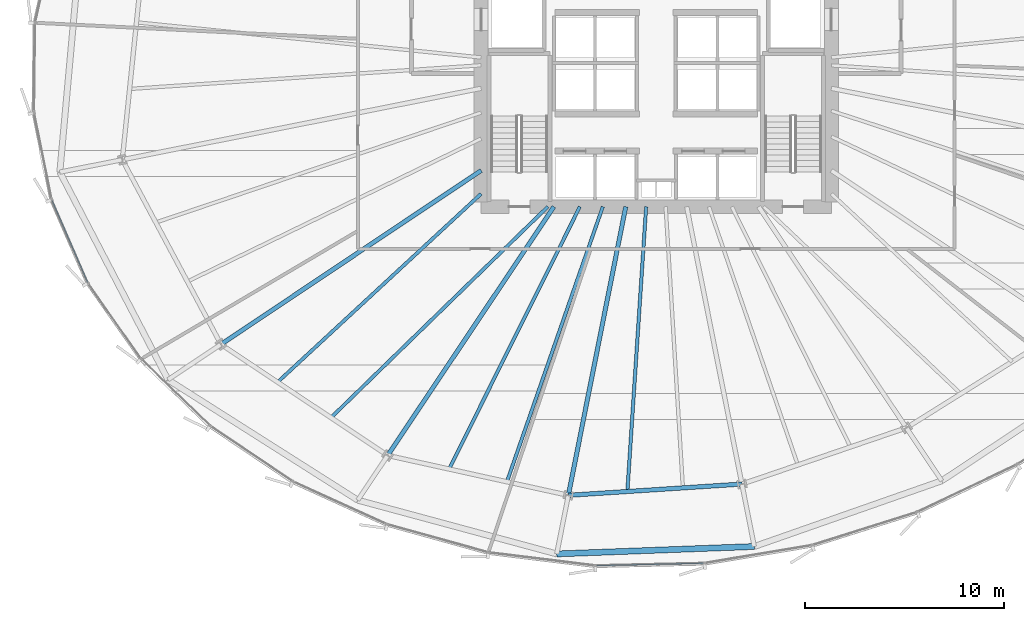
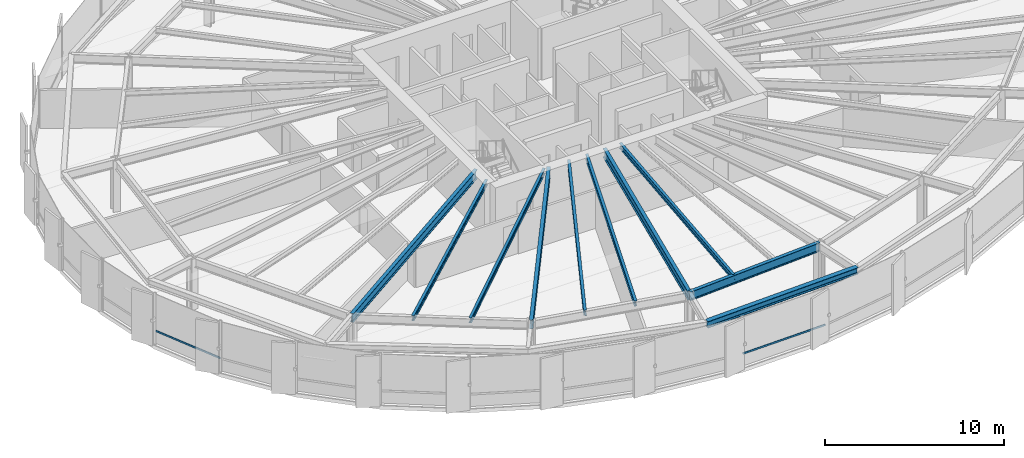
# One storey, part 6 of 38: 10 beams, 2 members, 2 elements without a shape of their own.
"""IFC4 building model written with IfcOpenShell, lengths in metres."""

from ifc_helpers import new_model, si_unit, direction, frame, origin, origin_2d, place, context, subcontext, project, spatial, hollow_rectangle, i_section, extrude, source, transform, mapped, material, layer, layer_set, material_profile, profile_set, type_object, element, aggregate, save


model = new_model("IFC4")

# Units and contexts
model_context = context("Model", 3, precision=1e-05, world=origin(), true_north=direction((0.0, 1.0)))
body_context = subcontext(model_context, "Body", "Model", "MODEL_VIEW")
ifc_project = project(units=[si_unit("LENGTHUNIT", "METRE"), si_unit("AREAUNIT", "SQUARE_METRE"), si_unit("VOLUMEUNIT", "CUBIC_METRE"), si_unit("PLANEANGLEUNIT", "RADIAN"), si_unit("MASSUNIT", "GRAM", prefix="KILO"), si_unit("THERMODYNAMICTEMPERATUREUNIT", "KELVIN")], contexts=[model_context])

# Site, building, storey
site_placement = place(None, origin())
site = spatial("IfcSite", under=ifc_project, at=site_placement, CompositionType="ELEMENT")
building_placement = place(site_placement, origin())
building = spatial("IfcBuilding", under=site, at=building_placement, Name="Kethvar Cultural Tower", CompositionType="ELEMENT")
storey_placement = place(building_placement, frame((0.0, 0.0, 52.39990234375)))
storey = spatial("IfcBuildingStorey", under=building, at=storey_placement, Name="L12", CompositionType="ELEMENT", Elevation=52.39990234375)

# Beams
ifc_material_1 = material(Name="Steel S355J2", Category="steel")
ifc_material_profile_1 = material_profile(ifc_material_1, i_section(OverallWidth=0.219970703125, OverallDepth=0.60009765625, WebThickness=0.011962890625, FlangeThickness=0.01904296875, FilletRadius=0.02392578125, at=origin_2d()), Name="Steel S355J2 — IPE600")
ifc_profile_set_1 = profile_set([ifc_material_profile_1], Name="Steel S355J2 — IPE600")
beam_type_1 = type_object("IfcBeamType", Name="BM-IPE600", PredefinedType="BEAM", material=ifc_profile_set_1)
shared_shape_1 = source(origin(), body_context, "Body", "SweptSolid", [
    extrude(i_section(OverallWidth=0.219970703125, OverallDepth=0.60009765625, WebThickness=0.011962890625, FlangeThickness=0.01904296875, FilletRadius=0.02392578125, at=origin_2d()), origin(), (0.0, 0.0, 1.0), 15.725341796875),
])
beam_1_placement = place(storey_placement, frame((38.0, 21.919921875, 3.248046875), z_axis=(-0.831469433959, -0.555570499929, 0.0), x_axis=(0.555570499929, -0.831469433959, 0.0)))
element("IfcBeam", 1, at=beam_1_placement, inside=storey, type_object=beam_type_1, Name="L12 Primary Radial Beam RB-10", PredefinedType="BEAM", context=body_context, shape_type="MappedRepresentation", body=[
    mapped(shared_shape_1, transform((0.0, 0.0, 0.0), scale=1.0)),
])
shared_shape_2 = source(origin(), body_context, "Body", "SweptSolid", [
    extrude(i_section(OverallWidth=0.219970703125, OverallDepth=0.60009765625, WebThickness=0.011962890625, FlangeThickness=0.01904296875, FilletRadius=0.02392578125, at=origin_2d()), origin(), (0.0, 0.0, 1.0), 15.03515625),
])
beam_2_placement = place(storey_placement, frame((41.655029296875, 20.10009765625, 3.248046875), z_axis=(-0.555569254616, -0.83147026605, 0.0), x_axis=(0.83147026605, -0.555569254616, 0.0)))
element("IfcBeam", 2, at=beam_2_placement, inside=storey, type_object=beam_type_1, Name="L12 Primary Radial Beam RB-11", PredefinedType="BEAM", context=body_context, shape_type="MappedRepresentation", body=[
    mapped(shared_shape_2, transform((0.0, 0.0, 0.0), scale=1.0)),
])
shared_shape_3 = source(origin(), body_context, "Body", "SweptSolid", [
    extrude(i_section(OverallWidth=0.219970703125, OverallDepth=0.60009765625, WebThickness=0.011962890625, FlangeThickness=0.01904296875, FilletRadius=0.02392578125, at=origin_2d()), origin(), (0.0, 0.0, 1.0), 14.7880859375),
])
beam_3_placement = place(storey_placement, frame((45.268310546875, 20.10009765625, 3.248046875), z_axis=(-0.1950905456, -0.98078523593, 0.0), x_axis=(0.98078523593, -0.1950905456, 0.0)))
element("IfcBeam", 3, at=beam_3_placement, inside=storey, type_object=beam_type_1, Name="L12 Primary Radial Beam RB-12", PredefinedType="BEAM", context=body_context, shape_type="MappedRepresentation", body=[
    mapped(shared_shape_3, transform((0.0, 0.0, 0.0), scale=1.0)),
])
ifc_material_profile_2 = material_profile(ifc_material_1, i_section(OverallWidth=0.169921875, OverallDepth=0.360107421875, WebThickness=0.008056640625, FlangeThickness=0.0126953125, FilletRadius=0.01806640625, at=origin_2d()), Name="Steel S355J2 — IPE360")
ifc_profile_set_2 = profile_set([ifc_material_profile_2], Name="Steel S355J2 — IPE360")
beam_type_2 = type_object("IfcBeamType", Name="BM-J360", PredefinedType="JOIST", material=ifc_profile_set_2)
shared_shape_4 = source(origin(), body_context, "Body", "SweptSolid", [
    extrude(i_section(OverallWidth=0.169921875, OverallDepth=0.360107421875, WebThickness=0.008056640625, FlangeThickness=0.0126953125, FilletRadius=0.01806640625, at=origin_2d()), origin(), (0.0, 0.0, 1.0), 13.93505859375),
])
beam_4_placement = place(storey_placement, frame((38.0, 20.75, 3.3681640625), z_axis=(-0.733909459287, -0.679247308106, 0.0), x_axis=(0.679247308106, -0.733909459287, 0.0)))
element("IfcBeam", 4, at=beam_4_placement, inside=storey, type_object=beam_type_2, Name="L12 Composite Floor Joist J-10A", PredefinedType="JOIST", context=body_context, shape_type="MappedRepresentation", body=[
    mapped(shared_shape_4, transform((0.0, 0.0, 0.0), scale=1.0)),
])
shared_shape_5 = source(origin(), body_context, "Body", "SweptSolid", [
    extrude(i_section(OverallWidth=0.169921875, OverallDepth=0.360107421875, WebThickness=0.008056640625, FlangeThickness=0.0126953125, FilletRadius=0.01806640625, at=origin_2d()), origin(), (0.0, 0.0, 1.0), 15.20361328125),
])
beam_5_placement = place(storey_placement, frame((41.35009765625, 20.10009765625, 3.3681640625), z_axis=(-0.716707709325, -0.697373687053, 0.0), x_axis=(0.697373687053, -0.716707709325, 0.0)))
element("IfcBeam", 5, at=beam_5_placement, inside=storey, type_object=beam_type_2, Name="L12 Composite Floor Joist J-10B", PredefinedType="JOIST", context=body_context, shape_type="MappedRepresentation", body=[
    mapped(shared_shape_5, transform((0.0, 0.0, 0.0), scale=1.0)),
])
shared_shape_6 = source(origin(), body_context, "Body", "SweptSolid", [
    extrude(i_section(OverallWidth=0.169921875, OverallDepth=0.360107421875, WebThickness=0.008056640625, FlangeThickness=0.0126953125, FilletRadius=0.01806640625, at=origin_2d()), origin(), (0.0, 0.0, 1.0), 14.729248046875),
])
beam_6_placement = place(storey_placement, frame((42.961181640625, 20.10009765625, 3.3681640625), z_axis=(-0.446152473361, -0.894956965733, 0.0), x_axis=(0.894956965733, -0.446152473361, 0.0)))
element("IfcBeam", 6, at=beam_6_placement, inside=storey, type_object=beam_type_2, Name="L12 Composite Floor Joist J-11A", PredefinedType="JOIST", context=body_context, shape_type="MappedRepresentation", body=[
    mapped(shared_shape_6, transform((0.0, 0.0, 0.0), scale=1.0)),
])
shared_shape_7 = source(origin(), body_context, "Body", "SweptSolid", [
    extrude(i_section(OverallWidth=0.169921875, OverallDepth=0.360107421875, WebThickness=0.008056640625, FlangeThickness=0.0126953125, FilletRadius=0.01806640625, at=origin_2d()), origin(), (0.0, 0.0, 1.0), 14.63916015625),
])
beam_7_placement = place(storey_placement, frame((44.115234375, 20.10009765625, 3.3681640625), z_axis=(-0.329226238223, -0.94425107046, 0.0), x_axis=(0.94425107046, -0.329226238223, 0.0)))
element("IfcBeam", 7, at=beam_7_placement, inside=storey, type_object=beam_type_2, Name="L12 Composite Floor Joist J-11B", PredefinedType="JOIST", context=body_context, shape_type="MappedRepresentation", body=[
    mapped(shared_shape_7, transform((0.0, 0.0, 0.0), scale=1.0)),
])
shared_shape_8 = source(origin(), body_context, "Body", "SweptSolid", [
    extrude(i_section(OverallWidth=0.219970703125, OverallDepth=0.60009765625, WebThickness=0.011962890625, FlangeThickness=0.01904296875, FilletRadius=0.02392578125, at=origin_2d()), origin(), (0.0, 0.0, 1.0), 8.739013671875),
])
beam_8_placement = place(storey_placement, frame((42.38330078125, 5.59619140625, 3.248046875), z_axis=(0.997897424084, 0.064813046581, 0.0), x_axis=(-0.064813046581, 0.997897424084, 0.0)))
element("IfcBeam", 8, at=beam_8_placement, inside=storey, type_object=beam_type_1, Name="L12 Column Ring Tie Beam CR-12", PredefinedType="BEAM", context=body_context, shape_type="MappedRepresentation", body=[
    mapped(shared_shape_8, transform((0.0, 0.0, 0.0), scale=1.0)),
])
shared_shape_9 = source(origin(), body_context, "Body", "SweptSolid", [
    extrude(i_section(OverallWidth=0.169921875, OverallDepth=0.360107421875, WebThickness=0.008056640625, FlangeThickness=0.0126953125, FilletRadius=0.01806640625, at=origin_2d()), origin(), (0.0, 0.0, 1.0), 14.34228515625),
])
beam_9_placement = place(storey_placement, frame((46.292236328125, 20.10009765625, 3.3681640625), z_axis=(-0.065808348808, -0.997832281111, 0.0), x_axis=(0.997832281111, -0.065808348808, 0.0)))
element("IfcBeam", 9, at=beam_9_placement, inside=storey, type_object=beam_type_2, Name="L12 Composite Floor Joist J-12A", PredefinedType="JOIST", context=body_context, shape_type="MappedRepresentation", body=[
    mapped(shared_shape_9, transform((0.0, 0.0, 0.0), scale=1.0)),
])
ifc_material_profile_3 = material_profile(ifc_material_1, i_section(OverallWidth=0.300048828125, OverallDepth=0.449951171875, WebThickness=0.013916015625, FlangeThickness=0.02587890625, FilletRadius=0.027099609375, at=origin_2d()), Name="Steel S355J2 — HEB450")
ifc_profile_set_3 = profile_set([ifc_material_profile_3], Name="Steel S355J2 — HEB450")
beam_type_3 = type_object("IfcBeamType", Name="BM-SP450", PredefinedType="SPANDREL", material=ifc_profile_set_3)
shared_shape_10 = source(origin(), body_context, "Body", "SweptSolid", [
    extrude(i_section(OverallWidth=0.300048828125, OverallDepth=0.449951171875, WebThickness=0.013916015625, FlangeThickness=0.02587890625, FilletRadius=0.027099609375, at=origin_2d()), origin(), (0.0, 0.0, 1.0), 9.937744140625),
])
beam_10_placement = place(storey_placement, frame((41.797607421875, 2.65087890625, 3.322998046875), z_axis=(0.999294253788, 0.037563204692, 0.0), x_axis=(-0.037563204692, 0.999294253788, 0.0)))
element("IfcBeam", 10, at=beam_10_placement, inside=storey, type_object=beam_type_3, Name="L12 Perimeter Spandrel Beam SP-12", PredefinedType="SPANDREL", context=body_context, shape_type="MappedRepresentation", body=[
    mapped(shared_shape_10, transform((0.0, 0.0, 0.0), scale=1.0)),
])

# Curtain wall, member
ifc_material_2 = material(Name="Aluminium 6063-T6", Category="aluminium")
ifc_layer = layer(ifc_material_2, 0.179931640625, Name="Aluminium 6063-T6", Category="aluminium")
ifc_layer_set = layer_set([ifc_layer], Name="Aluminium 6063-T6 (180 mm)")
curtain_wall_type = type_object("IfcCurtainWallType", Name="CW-SYS-02-Z1", PredefinedType="NOTDEFINED", material=ifc_layer_set)
curtain_wall_1_placement = place(storey_placement, origin())
curtain_wall_1 = element("IfcCurtainWall", 11, at=curtain_wall_1_placement, inside=storey, type_object=curtain_wall_type, Name="L12 Curtain Wall Run 04", PredefinedType="NOTDEFINED")
ifc_material_profile_4 = material_profile(ifc_material_2, hollow_rectangle(XDim=0.054931640625, YDim=0.1201171875, WallThickness=0.00390625, at=origin_2d()), Name="Aluminium 6063-T6 — RHS120x55x4")
ifc_profile_set_4 = profile_set([ifc_material_profile_4], Name="Aluminium 6063-T6 — RHS120x55x4")
member_type = type_object("IfcMemberType", Name="CW-SYS-02-Z1-TRN", PredefinedType="USERDEFINED", material=ifc_profile_set_4)
shared_shape_11 = source(origin(), body_context, "Body", "SweptSolid", [
    extrude(hollow_rectangle(XDim=0.054931640625, YDim=0.1201171875, WallThickness=0.00390625, at=origin_2d()), origin(), (0.0, 0.0, 1.0), 4.48486328125),
])
member_1_placement = place(storey_placement, frame((16.43798828125, 20.414306640625, 0.9501953125), z_axis=(0.398801749955, -0.917037166222, 0.0), x_axis=(0.917037166222, 0.398801749955, 0.0)))
member_1 = element("IfcMember", 12, at=member_1_placement, type_object=member_type, Name="CW-L12-R04 Transom 2", ObjectType="TRANSOM", PredefinedType="USERDEFINED", context=body_context, shape_type="MappedRepresentation", body=[
    mapped(shared_shape_11, transform((0.0, 0.0, 0.0), scale=1.0)),
])
aggregate(curtain_wall_1, [member_1])

curtain_wall_2_placement = place(storey_placement, origin())
curtain_wall_2 = element("IfcCurtainWall", 13, at=curtain_wall_2_placement, inside=storey, type_object=curtain_wall_type, Name="L12 Curtain Wall Run 05", PredefinedType="NOTDEFINED")
shared_shape_12 = source(origin(), body_context, "Body", "SweptSolid", [
    extrude(hollow_rectangle(XDim=0.054931640625, YDim=0.1201171875, WallThickness=0.00390625, at=origin_2d()), origin(), (0.0, 0.0, 1.0), 5.395751953125),
])
member_2_placement = place(storey_placement, frame((43.788818359375, 2.06396484375, 0.9501953125), z_axis=(0.999743025509, 0.022668986458, 0.0), x_axis=(-0.022668986458, 0.999743025509, 0.0)))
member_2 = element("IfcMember", 14, at=member_2_placement, type_object=member_type, Name="CW-L12-R05 Transom 3", ObjectType="TRANSOM", PredefinedType="USERDEFINED", context=body_context, shape_type="MappedRepresentation", body=[
    mapped(shared_shape_12, transform((0.0, 0.0, 0.0), scale=1.0)),
])
aggregate(curtain_wall_2, [member_2])

save(model, "model.ifc")
